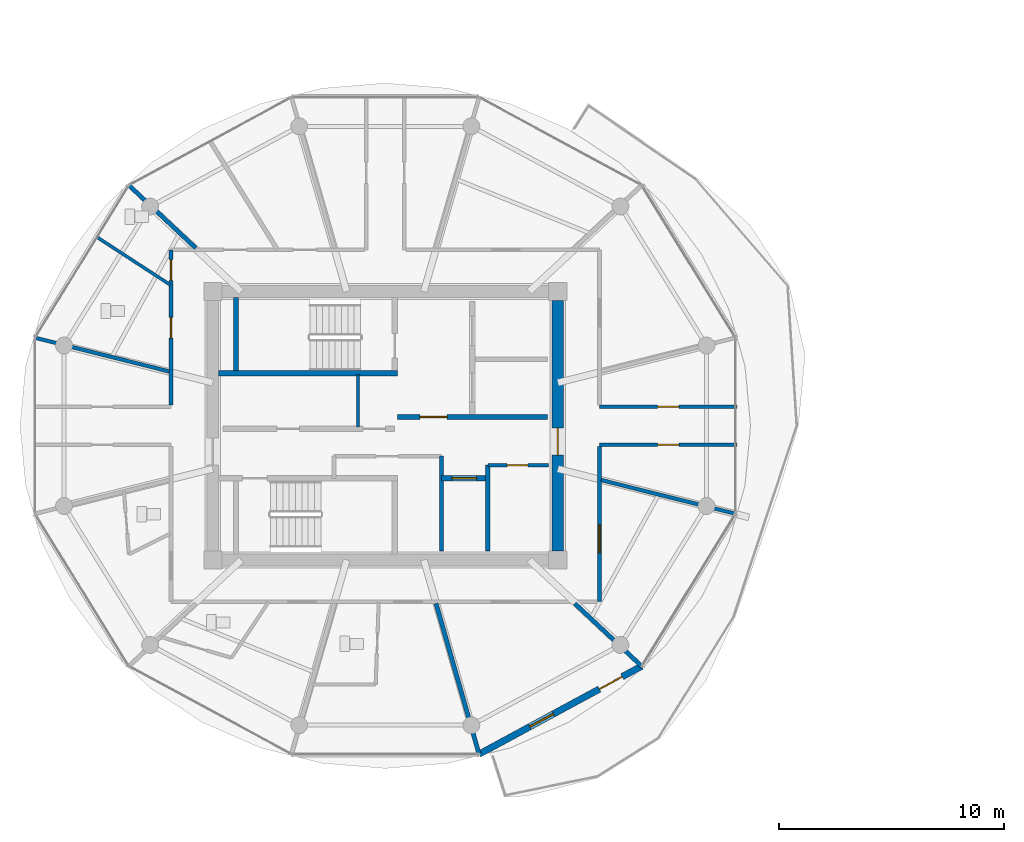
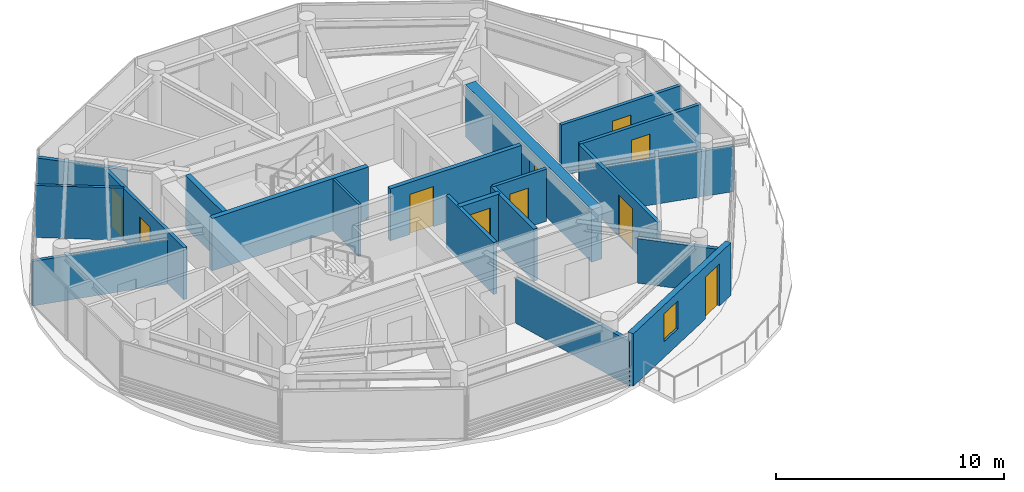
# One storey, part 10 of 19: 20 walls, 10 doors, 1 window, 11 openings.
"""IFC4 building model written with IfcOpenShell, lengths in metres."""

import ifcopenshell
import ifcopenshell.guid

model = None  # the IFC model being written
_history = None  # IfcOwnerHistory: only IFC2X3 demands one
_inside = {}  # id of a spatial element -> (the spatial element, [elements in it])
_under = {}  # id of a project, library or spatial element -> (it, [spatial elements below it])
_declared = {}  # id of a project -> (the project, [libraries it declares])
_typed = {}  # id of a type object -> (the type object, [elements of that type])
_made_of = {}  # id of a material, layer set ... -> (it, [elements and type objects made of it])


def new_model(schema):
    """Start an empty IFC model of exactly this schema.

    Asked for "IFC4X3", IfcOpenShell would pick the latest addendum, in which some entities
    have other attributes; the version numbers below select the first issue.
    IFC2X3 requires an IfcOwnerHistory on every rooted entity: one is made here for all.
    """
    global model, _history
    if schema == "IFC4X3":
        model = ifcopenshell.file(schema_version=(4, 3, 0, 0))
    else:
        model = ifcopenshell.file(schema=schema)
    _inside.clear()
    _under.clear()
    _declared.clear()
    _typed.clear()
    _made_of.clear()
    _history = None
    if model.schema == "IFC2X3":
        org = make("IfcOrganization", Name="unknown")
        user = make(
            "IfcPersonAndOrganization",
            ThePerson=make("IfcPerson", FamilyName="unknown"),
            TheOrganization=org,
        )
        app = make(
            "IfcApplication",
            ApplicationDeveloper=org,
            Version="unknown",
            ApplicationFullName="unknown",
            ApplicationIdentifier="unknown",
        )
        _history = make(
            "IfcOwnerHistory",
            OwningUser=user,
            OwningApplication=app,
            ChangeAction="ADDED",
            CreationDate=0,
        )
    return model


def make(cls, **values):
    """One entity of the class cls with the attributes given. An attribute that is None is left unset."""
    return model.create_entity(
        cls, **{name: value for name, value in values.items() if value is not None}
    )


def rooted(cls, **values):
    """An entity with a GlobalId (a new one), such as an element, a storey or a relation."""
    return make(cls, GlobalId=ifcopenshell.guid.new(), OwnerHistory=_history, **values)


def si_unit(unit_type, name, prefix=None):
    """IfcSIUnit, for example si_unit("LENGTHUNIT", "METRE", prefix="MILLI")."""
    return make("IfcSIUnit", UnitType=unit_type, Prefix=prefix, Name=name)


def assignment(units):
    """IfcUnitAssignment: the units of a project."""
    return None if units is None else make("IfcUnitAssignment", Units=units)


def point(xyz):
    """IfcCartesianPoint."""
    return None if xyz is None else make("IfcCartesianPoint", Coordinates=xyz)


def direction(xyz):
    """IfcDirection."""
    return None if xyz is None else make("IfcDirection", DirectionRatios=xyz)


def frame(location, z_axis=None, x_axis=None):
    """IfcAxis2Placement3D, a coordinate frame: its origin and axes. An axis left out is left unset."""
    return make(
        "IfcAxis2Placement3D",
        Location=point(location),
        Axis=direction(z_axis),
        RefDirection=direction(x_axis),
    )


def frame_2d(location, x_axis=None):
    """IfcAxis2Placement2D, a coordinate frame in the plane: its origin and x axis."""
    return make(
        "IfcAxis2Placement2D", Location=point(location), RefDirection=direction(x_axis)
    )


def origin():
    """The frame at (0, 0, 0) with its axes left unset."""
    return frame((0.0, 0.0, 0.0))


def place(relative_to, where):
    """IfcLocalPlacement: puts the frame where relative to a parent placement (None: the world)."""
    return make(
        "IfcLocalPlacement", PlacementRelTo=relative_to, RelativePlacement=where
    )


def context(
    kind, dimensions, precision=None, world=None, true_north=None, identifier=None
):
    """IfcGeometricRepresentationContext, for example the 3D "Model" context."""
    return make(
        "IfcGeometricRepresentationContext",
        ContextIdentifier=identifier,
        ContextType=kind,
        CoordinateSpaceDimension=dimensions,
        Precision=precision,
        WorldCoordinateSystem=world,
        TrueNorth=true_north,
    )


def subcontext(parent, identifier, kind, view, scale=None):
    """IfcGeometricRepresentationSubContext, for example "Body" below "Model"."""
    return make(
        "IfcGeometricRepresentationSubContext",
        ContextIdentifier=identifier,
        ContextType=kind,
        ParentContext=parent,
        TargetScale=scale,
        TargetView=view,
    )


def project(units=None, contexts=None):
    """IfcProject with its units and contexts."""
    return rooted(
        "IfcProject",
        Name="project",
        RepresentationContexts=contexts,
        UnitsInContext=assignment(units),
    )


def spatial(cls, under=None, at=None, **own):
    """A site, building, storey or space (cls), placed at a placement, below another one or the project."""
    s = rooted(cls, ObjectPlacement=at, **own)
    if under is not None:
        _under.setdefault(under.id(), (under, []))[1].append(s)
    return s


def profile(cls, at=None, kind="AREA", **sizes):
    """A parametric profile (cls). Its sizes go by their IFC names, for example OverallWidth=200.0."""
    return make(cls, ProfileType=kind, Position=at, **sizes)


def rectangle(**sizes):
    """IfcRectangleProfileDef."""
    return profile("IfcRectangleProfileDef", **sizes)


def extrude(swept, where, along, depth):
    """IfcExtrudedAreaSolid: the profile swept, set in the frame where, extruded along a direction by depth."""
    return make(
        "IfcExtrudedAreaSolid",
        SweptArea=swept,
        Position=where,
        ExtrudedDirection=direction(along),
        Depth=depth,
    )


def shape(context_of_items, identifier, shape_type, items):
    """IfcShapeRepresentation: the items that make up one representation, for example the "Body"."""
    return make(
        "IfcShapeRepresentation",
        ContextOfItems=context_of_items,
        RepresentationIdentifier=identifier,
        RepresentationType=shape_type,
        Items=items,
    )


def source(mapping_origin, context_of_items, identifier, shape_type, items):
    """IfcRepresentationMap: a shape defined once, which mapped items show again and again."""
    return make(
        "IfcRepresentationMap",
        MappingOrigin=mapping_origin,
        MappedRepresentation=shape(context_of_items, identifier, shape_type, items),
    )


def transform(
    local_origin,
    x_axis=None,
    y_axis=None,
    z_axis=None,
    scale=None,
    scale2=None,
    scale3=None,
    uniform=True,
):
    """IfcCartesianTransformationOperator3D, or its non-uniform kind. x_axis, y_axis, z_axis: its Axis1, 2, 3."""
    if uniform:
        return make(
            "IfcCartesianTransformationOperator3D",
            Axis1=direction(x_axis),
            Axis2=direction(y_axis),
            LocalOrigin=point(local_origin),
            Scale=scale,
            Axis3=direction(z_axis),
        )
    return make(
        "IfcCartesianTransformationOperator3DnonUniform",
        Axis1=direction(x_axis),
        Axis2=direction(y_axis),
        LocalOrigin=point(local_origin),
        Scale=scale,
        Axis3=direction(z_axis),
        Scale2=scale2,
        Scale3=scale3,
    )


def mapped(mapping_source, mapping_target):
    """IfcMappedItem: shows the shape of a source again, moved by a transform."""
    return make(
        "IfcMappedItem", MappingSource=mapping_source, MappingTarget=mapping_target
    )


def material(Name=None, Category=None):
    """IfcMaterial."""
    return make("IfcMaterial", Name=Name, Category=Category)


def layer(
    of_material, thickness, ventilated=None, Name=None, Category=None, Priority=None
):
    """IfcMaterialLayer: one layer of a wall or slab, of a material (None: an air gap)."""
    return make(
        "IfcMaterialLayer",
        Material=of_material,
        LayerThickness=thickness,
        IsVentilated=ventilated,
        Name=Name,
        Category=Category,
        Priority=Priority,
    )


def layer_set(layers, Name=None):
    """IfcMaterialLayerSet."""
    return make("IfcMaterialLayerSet", MaterialLayers=layers, LayerSetName=Name)


def made_of(thing, what):
    """Note that an element or type object is made of a material, layer set ...; save() writes the relation."""
    if what is not None:
        _made_of.setdefault(what.id(), (what, []))[1].append(thing)
    return thing


def type_object(cls, material=None, **own):
    """A type object (cls), such as IfcWallType, which elements share."""
    return made_of(rooted(cls, **own), material)


def type_shapes(of_type, sources):
    """Give a type object the sources (RepresentationMaps) that its elements show as mapped items."""
    of_type.RepresentationMaps = sources


def element(
    cls,
    number,
    at=None,
    inside=None,
    cuts=None,
    type_object=None,
    material=None,
    context=None,
    identifier="Body",
    shape_type=None,
    held_by="IfcProductDefinitionShape",
    body=None,
    shapes=None,
    **own,
):
    """One element of the class cls, such as IfcWall. Its Tag is "e" and its number.

    at: its placement. inside: the storey or other place that contains it. cuts: it is an
    opening in that element (IfcRelVoidsElement). A single representation is given by context,
    identifier, shape_type and body (its items); several are given by shapes. held_by: the class
    of the entity that holds the representations. save() writes the other relations.
    """
    e = rooted(cls, Tag="e%d" % number, ObjectPlacement=at, **own)
    if body is not None:
        shapes = [shape(context, identifier, shape_type, body)]
    if shapes is not None:
        e.Representation = make(held_by, Representations=shapes)
    if inside is not None:
        _inside.setdefault(inside.id(), (inside, []))[1].append(e)
    if cuts is not None:
        rooted(
            "IfcRelVoidsElement", RelatingBuildingElement=cuts, RelatedOpeningElement=e
        )
    if type_object is not None:
        _typed.setdefault(type_object.id(), (type_object, []))[1].append(e)
    return made_of(e, material)


def fill(opening, filler):
    """IfcRelFillsElement: the door or window that sits in an opening."""
    return rooted(
        "IfcRelFillsElement",
        RelatingOpeningElement=opening,
        RelatedBuildingElement=filler,
    )


def aggregate(whole, parts):
    """IfcRelAggregates: a whole, such as a stair, and the parts it consists of."""
    return rooted("IfcRelAggregates", RelatingObject=whole, RelatedObjects=parts)


def save(model, path):
    """Write the relations noted so far, then the file.

    IfcRelAggregates (storeys below a building ...), IfcRelContainedInSpatialStructure (elements
    in a storey), IfcRelDefinesByType, IfcRelAssociatesMaterial and IfcRelDeclares: one each for
    every whole, place, type object, material and project.
    """
    for whole, parts in _under.values():
        aggregate(whole, parts)
    for where, things in _inside.values():
        rooted(
            "IfcRelContainedInSpatialStructure",
            RelatedElements=things,
            RelatingStructure=where,
        )
    for kind, things in _typed.values():
        rooted("IfcRelDefinesByType", RelatedObjects=things, RelatingType=kind)
    for what, things in _made_of.values():
        rooted("IfcRelAssociatesMaterial", RelatedObjects=things, RelatingMaterial=what)
    for by, libraries in _declared.values():
        rooted("IfcRelDeclares", RelatingContext=by, RelatedDefinitions=libraries)
    model.write(path)


model = new_model("IFC4")

# Units and contexts
model_context = context("Model", 3, precision=1e-05, world=origin(), true_north=direction((0.0, 1.0)))
body_context = subcontext(model_context, "Body", "Model", "MODEL_VIEW")
ifc_project = project(units=[si_unit("LENGTHUNIT", "METRE"), si_unit("AREAUNIT", "SQUARE_METRE"), si_unit("VOLUMEUNIT", "CUBIC_METRE"), si_unit("PLANEANGLEUNIT", "RADIAN"), si_unit("MASSUNIT", "GRAM", prefix="KILO")], contexts=[model_context])

# Site, building, storey
site_placement = place(None, origin())
site = spatial("IfcSite", under=ifc_project, at=site_placement, CompositionType="ELEMENT")
building_placement = place(site_placement, origin())
building = spatial("IfcBuilding", under=site, at=building_placement, Name="Norrkilde Senior Care Towers", CompositionType="ELEMENT")
storey_placement = place(building_placement, frame((0.0, 0.0, 193.699951171875)))
storey = spatial("IfcBuildingStorey", under=building, at=storey_placement, Name="L60", CompositionType="ELEMENT", Elevation=193.699951171875)

# Wall, opening, door
ifc_material_1 = material(Name="Concrete C50/60", Category="concrete")
ifc_layer_1 = layer(ifc_material_1, 0.52001953125)
ifc_layer_set_1 = layer_set([ifc_layer_1], Name="Concrete C50/60")
wall_type_1 = type_object("IfcWallType", Name="Core Shear Wall Z4 520", PredefinedType="SHEAR", material=ifc_layer_set_1)
shared_shape_1 = source(origin(), body_context, "Body", "SweptSolid", [
    extrude(rectangle(XDim=11.10009765625, YDim=0.52001953125, at=frame_2d((5.550048828125, 0.0))), origin(), (0.0, 0.0, 1.0), 2.81005859375),
])
type_shapes(wall_type_1, [shared_shape_1])
wall_1_placement = place(storey_placement, frame((-20.35009765625, 5.550048828125, 0.0), z_axis=(0.0, 0.0, 1.0), x_axis=(0.0, -1.0, 0.0)))
wall_1 = element("IfcWall", 1, at=wall_1_placement, inside=storey, type_object=wall_type_1, Name="L60 Core W East Shear Wall", PredefinedType="SHEAR", context=body_context, shape_type="MappedRepresentation", body=[
    mapped(shared_shape_1, transform((0.0, 0.0, 0.0), x_axis=(1.0, 0.0, 0.0), y_axis=(0.0, 1.0, 0.0), z_axis=(0.0, 0.0, 1.0), scale=1.0)),
])
opening_1_placement = place(wall_1_placement, frame((5.64990234375, 0.0, 0.0)))
opening_1 = element("IfcOpeningElement", 2, at=opening_1_placement, cuts=wall_1, Name="Opening D-04", PredefinedType="OPENING", context=body_context, shape_type="SweptSolid", body=[
    extrude(rectangle(XDim=1.199951171875, YDim=2.14990234375, at=frame_2d((0.60009765625, 1.074951171875))), frame((0.0, 0.27001953125, 0.0), z_axis=(0.0, -1.0, 0.0), x_axis=(1.0, 0.0, 0.0)), (0.0, 0.0, 1.0), 0.5400390625),
])
ifc_material_2 = material(Name="Galvanised Painted Steel", Category="steel")
door_type_1 = type_object("IfcDoorType", Name="Firefighting Lobby Fire Door 1200x2150", OperationType="NOTDEFINED", PredefinedType="DOOR", material=ifc_material_2)
shared_shape_2 = source(origin(), body_context, "Body", "SweptSolid", [
    extrude(rectangle(XDim=1.199951171875, YDim=2.14990234375, at=frame_2d((0.60009765625, 1.074951171875))), frame((0.0, 0.02490234375, 0.0), z_axis=(0.0, -1.0, 0.0), x_axis=(1.0, 0.0, 0.0)), (0.0, 0.0, 1.0), 0.050048828125),
])
type_shapes(door_type_1, [shared_shape_2])
door_1_placement = place(opening_1_placement, frame((1.199951171875, 0.0, 0.0), z_axis=(0.0, 0.0, 1.0), x_axis=(-1.0, 0.0, 0.0)))
door_1 = element("IfcDoor", 3, at=door_1_placement, inside=storey, type_object=door_type_1, Name="L60 Core W East Portal Door", OperationType="SINGLE_SWING_RIGHT", OverallHeight=2.14990234375, OverallWidth=1.199951171875, PredefinedType="DOOR", context=body_context, shape_type="MappedRepresentation", body=[
    mapped(shared_shape_2, transform((0.0, 0.0, 0.0), x_axis=(1.0, 0.0, 0.0), y_axis=(0.0, 1.0, 0.0), z_axis=(0.0, 0.0, 1.0), scale=1.0)),
])
fill(opening_1, door_1)

# Wall, openings, door, window
ifc_material_3 = material(Name="Precast concrete C45/55", Category="concrete")
ifc_layer_2 = layer(ifc_material_3, 0.2900390625)
ifc_layer_set_2 = layer_set([ifc_layer_2], Name="Precast concrete C45/55")
wall_type_2 = type_object("IfcWallType", Name="Winter Garden Facade Wall 290", PredefinedType="SOLIDWALL", material=ifc_layer_set_2)
shared_shape_3 = source(origin(), body_context, "Body", "SweptSolid", [
    extrude(rectangle(XDim=8.197265625, YDim=0.2900390625, at=frame_2d((4.0986328125, 0.0))), origin(), (0.0, 0.0, 1.0), 2.81005859375),
])
type_shapes(wall_type_2, [shared_shape_3])
wall_2_placement = place(storey_placement, frame((-16.629638671875, -10.6630859375, 0.0), z_axis=(0.0, 0.0, 1.0), x_axis=(-0.879369910001, -0.476139224791, 0.0)))
wall_2 = element("IfcWall", 4, at=wall_2_placement, inside=storey, type_object=wall_type_2, Name="L60 Drum W Balcony Access Wall 09", PredefinedType="SOLIDWALL", context=body_context, shape_type="MappedRepresentation", body=[
    mapped(shared_shape_3, transform((0.0, 0.0, 0.0), x_axis=(1.0, 0.0, 0.0), y_axis=(0.0, 1.0, 0.0), z_axis=(0.0, 0.0, 1.0), scale=1.0)),
])
opening_2_placement = place(wall_2_placement, frame((0.97998046875, 0.0, 0.0)))
opening_2 = element("IfcOpeningElement", 5, at=opening_2_placement, cuts=wall_2, Name="Opening D-09", PredefinedType="OPENING", context=body_context, shape_type="SweptSolid", body=[
    extrude(rectangle(XDim=1.14990234375, YDim=2.25, at=frame_2d((0.574951171875, 1.125))), frame((0.0, 0.155029296875, 0.0), z_axis=(0.0, -1.0, 0.0), x_axis=(1.0, 0.0, 0.0)), (0.0, 0.0, 1.0), 0.31005859375),
])
opening_3_placement = place(wall_2_placement, frame((4.448486328125, 0.0, 0.85009765625)))
opening_3 = element("IfcOpeningElement", 6, at=opening_3_placement, cuts=wall_2, Name="Opening WN-07", PredefinedType="OPENING", context=body_context, shape_type="SweptSolid", body=[
    extrude(rectangle(XDim=1.199951171875, YDim=1.5, at=frame_2d((0.60009765625, 0.75))), frame((0.0, 0.155029296875, 0.0), z_axis=(0.0, -1.0, 0.0), x_axis=(1.0, 0.0, 0.0)), (0.0, 0.0, 1.0), 0.31005859375),
])
ifc_material_4 = material(Name="Anodised Aluminium", Category="aluminium")
door_type_2 = type_object("IfcDoorType", Name="Terrace and Balcony Glazed Door 1150x2250", OperationType="NOTDEFINED", PredefinedType="DOOR", material=ifc_material_4)
shared_shape_4 = source(origin(), body_context, "Body", "SweptSolid", [
    extrude(rectangle(XDim=1.14990234375, YDim=2.25, at=frame_2d((0.574951171875, 1.125))), frame((0.0, 0.02490234375, 0.0), z_axis=(0.0, -1.0, 0.0), x_axis=(1.0, 0.0, 0.0)), (0.0, 0.0, 1.0), 0.050048828125),
])
type_shapes(door_type_2, [shared_shape_4])
door_2_placement = place(opening_2_placement, origin())
door_2 = element("IfcDoor", 7, at=door_2_placement, inside=storey, type_object=door_type_2, Name="L60 Drum W Outdoor Terrace Door 09", OperationType="SINGLE_SWING_RIGHT", OverallHeight=2.25, OverallWidth=1.14990234375, PredefinedType="DOOR", context=body_context, shape_type="MappedRepresentation", body=[
    mapped(shared_shape_4, transform((0.0, 0.0, 0.0), x_axis=(1.0, 0.0, 0.0), y_axis=(0.0, 1.0, 0.0), z_axis=(0.0, 0.0, 1.0), scale=1.0)),
])
fill(opening_2, door_2)
ifc_material_5 = material(Name="Triple Low-E Insulated Glazing", Category="glass")
window_type = type_object("IfcWindowType", Name="Stairwell Smoke Vent Window 1200x1500", PartitioningType="SINGLE_PANEL", PredefinedType="WINDOW", material=ifc_material_5)
shared_shape_5 = source(origin(), body_context, "Body", "SweptSolid", [
    extrude(rectangle(XDim=1.199951171875, YDim=1.5, at=frame_2d((0.60009765625, 0.75))), frame((0.0, 0.030029296875, 0.0), z_axis=(0.0, -1.0, 0.0), x_axis=(1.0, 0.0, 0.0)), (0.0, 0.0, 1.0), 0.06005859375),
])
type_shapes(window_type, [shared_shape_5])
window_placement = place(opening_3_placement, origin())
window = element("IfcWindow", 8, at=window_placement, inside=storey, type_object=window_type, Name="L60 Drum W Winter Garden Window 09", OverallHeight=1.5, OverallWidth=1.199951171875, PartitioningType="SINGLE_PANEL", PredefinedType="WINDOW", context=body_context, shape_type="MappedRepresentation", body=[
    mapped(shared_shape_5, transform((0.0, 0.0, 0.0), x_axis=(1.0, 0.0, 0.0), y_axis=(0.0, 1.0, 0.0), z_axis=(0.0, 0.0, 1.0), scale=1.0)),
])
fill(opening_3, window)

# Wall, opening, door
ifc_material_6 = material(Name="Concrete C45/55", Category="concrete")
ifc_layer_3 = layer(ifc_material_6, 0.2099609375)
ifc_layer_set_3 = layer_set([ifc_layer_3], Name="Concrete C45/55")
wall_type_3 = type_object("IfcWallType", Name="Firefighting Lobby Wall 210", PredefinedType="PARTITIONING", material=ifc_layer_set_3)
shared_shape_6 = source(origin(), body_context, "Body", "SweptSolid", [
    extrude(rectangle(XDim=6.659912109375, YDim=0.2099609375, at=frame_2d((3.330078125, 0.0))), origin(), (0.0, 0.0, 1.0), 2.795166015625),
])
type_shapes(wall_type_3, [shared_shape_6])
wall_3_placement = place(storey_placement, frame((-27.4599609375, 0.389892578125, 0.0), z_axis=(0.0, 0.0, 1.0), x_axis=(1.0, 0.0, 0.0)))
wall_3 = element("IfcWall", 9, at=wall_3_placement, inside=storey, type_object=wall_type_3, Name="WL-INT-L60-W-FFLS", PredefinedType="PARTITIONING", context=body_context, shape_type="MappedRepresentation", body=[
    mapped(shared_shape_6, transform((0.0, 0.0, 0.0), x_axis=(1.0, 0.0, 0.0), y_axis=(0.0, 1.0, 0.0), z_axis=(0.0, 0.0, 1.0), scale=1.0)),
])
opening_4_placement = place(wall_3_placement, frame((1.0, 0.0, 0.0)))
opening_4 = element("IfcOpeningElement", 10, at=opening_4_placement, cuts=wall_3, Name="Opening D-04", PredefinedType="OPENING", context=body_context, shape_type="SweptSolid", body=[
    extrude(rectangle(XDim=1.199951171875, YDim=2.14990234375, at=frame_2d((0.60009765625, 1.074951171875))), frame((0.0, 0.114990234375, 0.0), z_axis=(0.0, -1.0, 0.0), x_axis=(1.0, 0.0, 0.0)), (0.0, 0.0, 1.0), 0.22998046875),
])
door_3_placement = place(opening_4_placement, frame((1.199951171875, 0.0, 0.0), z_axis=(0.0, 0.0, 1.0), x_axis=(-1.0, 0.0, 0.0)))
door_3 = element("IfcDoor", 11, at=door_3_placement, inside=storey, type_object=door_type_1, Name="L60 Firefighting Lobby W Door", OperationType="SINGLE_SWING_LEFT", OverallHeight=2.14990234375, OverallWidth=1.199951171875, PredefinedType="DOOR", context=body_context, shape_type="MappedRepresentation", body=[
    mapped(shared_shape_2, transform((0.0, 0.0, 0.0), x_axis=(1.0, 0.0, 0.0), y_axis=(0.0, 1.0, 0.0), z_axis=(0.0, 0.0, 1.0), scale=1.0)),
])
fill(opening_4, door_3)

# Walls
ifc_material_7 = material(Name="Gypsum Acoustic Board")
ifc_layer_4 = layer(ifc_material_7, 0.114990234375)
ifc_layer_set_4 = layer_set([ifc_layer_4], Name="Gypsum Acoustic Board")
wall_type_4 = type_object("IfcWallType", Name="Internal Room Partition 115", PredefinedType="PARTITIONING", material=ifc_layer_set_4)
shared_shape_7 = source(origin(), body_context, "Body", "SweptSolid", [
    extrude(rectangle(XDim=2.330078125, YDim=0.114990234375, at=frame_2d((1.1650390625, 0.0))), origin(), (0.0, 0.0, 1.0), 2.795166015625),
])
type_shapes(wall_type_4, [shared_shape_7])
wall_4_placement = place(storey_placement, frame((-29.2099609375, -0.050048828125, 0.0), z_axis=(0.0, 0.0, 1.0), x_axis=(0.0, 1.0, 0.0)))
element("IfcWall", 12, at=wall_4_placement, inside=storey, type_object=wall_type_4, Name="WL-INT-L60-W-RISW", PredefinedType="PARTITIONING", context=body_context, shape_type="MappedRepresentation", body=[
    mapped(shared_shape_7, transform((0.0, 0.0, 0.0), x_axis=(1.0, 0.0, 0.0), y_axis=(0.0, 1.0, 0.0), z_axis=(0.0, 0.0, 1.0), scale=1.0)),
])
ifc_layer_5 = layer(ifc_material_6, 0.199951171875)
ifc_layer_set_5 = layer_set([ifc_layer_5], Name="Concrete C45/55")
wall_type_5 = type_object("IfcWallType", Name="Shaft Division and Plant Partition 200", PredefinedType="PARTITIONING", material=ifc_layer_set_5)
shared_shape_8 = source(origin(), body_context, "Body", "SweptSolid", [
    extrude(rectangle(XDim=3.800048828125, YDim=0.199951171875, at=frame_2d((1.89990234375, 0.0))), origin(), (0.0, 0.0, 1.0), 2.795166015625),
])
type_shapes(wall_type_5, [shared_shape_8])
wall_5_placement = place(storey_placement, frame((-23.449951171875, -5.550048828125, 0.0), z_axis=(0.0, 0.0, 1.0), x_axis=(0.0, 1.0, 0.0)))
element("IfcWall", 13, at=wall_5_placement, inside=storey, type_object=wall_type_5, Name="WL-INT-L60-W-PKBE", PredefinedType="PARTITIONING", context=body_context, shape_type="MappedRepresentation", body=[
    mapped(shared_shape_8, transform((0.0, 0.0, 0.0), x_axis=(1.0, 0.0, 0.0), y_axis=(0.0, 1.0, 0.0), z_axis=(0.0, 0.0, 1.0), scale=1.0)),
])

# Wall, opening, door
ifc_layer_6 = layer(ifc_material_7, 0.1650390625)
ifc_layer_set_6 = layer_set([ifc_layer_6], Name="Gypsum Acoustic Board")
wall_type_6 = type_object("IfcWallType", Name="Corridor Rated Partition 165", PredefinedType="PARTITIONING", material=ifc_layer_set_6)
shared_shape_9 = source(origin(), body_context, "Body", "SweptSolid", [
    extrude(rectangle(XDim=2.699951171875, YDim=0.1650390625, at=frame_2d((1.35009765625, 0.0))), origin(), (0.0, 0.0, 1.0), 2.795166015625),
])
wall_6_placement = place(storey_placement, frame((-23.449951171875, -1.75, 0.0), z_axis=(0.0, 0.0, 1.0), x_axis=(1.0, 0.0, 0.0)))
wall_6 = element("IfcWall", 14, at=wall_6_placement, inside=storey, type_object=wall_type_6, Name="WL-INT-L60-W-CSN", PredefinedType="PARTITIONING", context=body_context, shape_type="MappedRepresentation", body=[
    mapped(shared_shape_9, transform((0.0, 0.0, 0.0), x_axis=(1.0, 0.0, 0.0), y_axis=(0.0, 1.0, 0.0), z_axis=(0.0, 0.0, 1.0), scale=1.0)),
])
opening_5_placement = place(wall_6_placement, frame((0.85009765625, 0.0, 0.0)))
opening_5 = element("IfcOpeningElement", 15, at=opening_5_placement, cuts=wall_6, Name="Opening D-12", PredefinedType="OPENING", context=body_context, shape_type="SweptSolid", body=[
    extrude(rectangle(XDim=0.925048828125, YDim=2.10009765625, at=frame_2d((0.46240234375, 1.050048828125))), frame((0.0, 0.092529296875, 0.0), z_axis=(0.0, -1.0, 0.0), x_axis=(1.0, 0.0, 0.0)), (0.0, 0.0, 1.0), 0.18505859375),
])
door_type_3 = type_object("IfcDoorType", Name="Core Wet Room Rated Door 925x2100", OperationType="NOTDEFINED", PredefinedType="DOOR", material=ifc_material_2)
shared_shape_10 = source(origin(), body_context, "Body", "SweptSolid", [
    extrude(rectangle(XDim=0.925048828125, YDim=2.10009765625, at=frame_2d((0.46240234375, 1.050048828125))), frame((0.0, 0.02490234375, 0.0), z_axis=(0.0, -1.0, 0.0), x_axis=(1.0, 0.0, 0.0)), (0.0, 0.0, 1.0), 0.050048828125),
])
type_shapes(door_type_3, [shared_shape_10])
door_4_placement = place(opening_5_placement, origin())
door_4 = element("IfcDoor", 16, at=door_4_placement, inside=storey, type_object=door_type_3, Name="L60 Core Utility W Door", OperationType="SINGLE_SWING_LEFT", OverallHeight=2.10009765625, OverallWidth=0.925048828125, PredefinedType="DOOR", context=body_context, shape_type="MappedRepresentation", body=[
    mapped(shared_shape_10, transform((0.0, 0.0, 0.0), x_axis=(1.0, 0.0, 0.0), y_axis=(0.0, 1.0, 0.0), z_axis=(0.0, 0.0, 1.0), scale=1.0)),
])
fill(opening_5, door_4)

# Wall, openings, doors
shared_shape_11 = source(origin(), body_context, "Body", "SweptSolid", [
    extrude(rectangle(XDim=6.880126953125, YDim=0.1650390625, at=frame_2d((3.43994140625, 0.0))), origin(), (0.0, 0.0, 1.0), 2.795166015625),
])
wall_7_placement = place(storey_placement, frame((-37.5, 0.919921875, 0.0), z_axis=(0.0, 0.0, 1.0), x_axis=(0.0, 1.0, 0.0)))
wall_7 = element("IfcWall", 17, at=wall_7_placement, inside=storey, type_object=wall_type_6, Name="WL-INT-L60-W-CRW-W-1", PredefinedType="PARTITIONING", context=body_context, shape_type="MappedRepresentation", body=[
    mapped(shared_shape_11, transform((0.0, 0.0, 0.0), x_axis=(1.0, 0.0, 0.0), y_axis=(0.0, 1.0, 0.0), z_axis=(0.0, 0.0, 1.0), scale=1.0)),
])
opening_6_placement = place(wall_7_placement, frame((5.525146484375, 0.0, 0.0)))
opening_6 = element("IfcOpeningElement", 18, at=opening_6_placement, cuts=wall_7, Name="Opening D-08", PredefinedType="OPENING", context=body_context, shape_type="SweptSolid", body=[
    extrude(rectangle(XDim=0.919921875, YDim=2.10009765625, at=frame_2d((0.4599609375, 1.050048828125))), frame((0.0, 0.092529296875, 0.0), z_axis=(0.0, -1.0, 0.0), x_axis=(1.0, 0.0, 0.0)), (0.0, 0.0, 1.0), 0.18505859375),
])
opening_7_placement = place(wall_7_placement, frame((2.96240234375, 0.0, 0.0)))
opening_7 = element("IfcOpeningElement", 19, at=opening_7_placement, cuts=wall_7, Name="Opening D-08", PredefinedType="OPENING", context=body_context, shape_type="SweptSolid", body=[
    extrude(rectangle(XDim=0.919921875, YDim=2.10009765625, at=frame_2d((0.4599609375, 1.050048828125))), frame((0.0, 0.092529296875, 0.0), z_axis=(0.0, -1.0, 0.0), x_axis=(1.0, 0.0, 0.0)), (0.0, 0.0, 1.0), 0.18505859375),
])
ifc_material_8 = material(Name="Nordic Ash Timber", Category="wood")
door_type_4 = type_object("IfcDoorType", Name="Accessible Wet Room Door 920x2100", OperationType="NOTDEFINED", PredefinedType="DOOR", material=ifc_material_8)
shared_shape_12 = source(origin(), body_context, "Body", "SweptSolid", [
    extrude(rectangle(XDim=0.919921875, YDim=2.10009765625, at=frame_2d((0.4599609375, 1.050048828125))), frame((0.0, 0.02490234375, 0.0), z_axis=(0.0, -1.0, 0.0), x_axis=(1.0, 0.0, 0.0)), (0.0, 0.0, 1.0), 0.050048828125),
])
type_shapes(door_type_4, [shared_shape_12])
door_5_placement = place(opening_6_placement, frame((0.919921875, 0.0, 0.0), z_axis=(0.0, 0.0, 1.0), x_axis=(-1.0, 0.0, 0.0)))
door_5 = element("IfcDoor", 20, at=door_5_placement, inside=storey, type_object=door_type_4, Name="L60 Accessible Restroom Door", OperationType="SINGLE_SWING_LEFT", OverallHeight=2.10009765625, OverallWidth=0.919921875, PredefinedType="DOOR", context=body_context, shape_type="MappedRepresentation", body=[
    mapped(shared_shape_12, transform((0.0, 0.0, 0.0), x_axis=(1.0, 0.0, 0.0), y_axis=(0.0, 1.0, 0.0), z_axis=(0.0, 0.0, 1.0), scale=1.0)),
])
fill(opening_6, door_5)
door_6_placement = place(opening_7_placement, frame((0.919921875, 0.0, 0.0), z_axis=(0.0, 0.0, 1.0), x_axis=(-1.0, 0.0, 0.0)))
door_6 = element("IfcDoor", 21, at=door_6_placement, inside=storey, type_object=door_type_4, Name="L60 Public Restroom Door", OperationType="SINGLE_SWING_RIGHT", OverallHeight=2.10009765625, OverallWidth=0.919921875, PredefinedType="DOOR", context=body_context, shape_type="MappedRepresentation", body=[
    mapped(shared_shape_12, transform((0.0, 0.0, 0.0), x_axis=(1.0, 0.0, 0.0), y_axis=(0.0, 1.0, 0.0), z_axis=(0.0, 0.0, 1.0), scale=1.0)),
])
fill(opening_7, door_6)

# Wall, opening, door
wall_8_placement = place(storey_placement, frame((-18.5, -0.919921875, 0.0), z_axis=(0.0, 0.0, 1.0), x_axis=(0.0, -1.0, 0.0)))
wall_8 = element("IfcWall", 22, at=wall_8_placement, inside=storey, type_object=wall_type_6, Name="WL-INT-L60-W-CRW-E-1", PredefinedType="PARTITIONING", context=body_context, shape_type="MappedRepresentation", body=[
    mapped(shared_shape_11, transform((0.0, 0.0, 0.0), x_axis=(1.0, 0.0, 0.0), y_axis=(0.0, 1.0, 0.0), z_axis=(0.0, 0.0, 1.0), scale=1.0)),
])
opening_8_placement = place(wall_8_placement, frame((3.46435546875, 0.0, 0.0)))
opening_8 = element("IfcOpeningElement", 23, at=opening_8_placement, cuts=wall_8, Name="Opening D-05", PredefinedType="OPENING", context=body_context, shape_type="SweptSolid", body=[
    extrude(rectangle(XDim=1.25, YDim=2.199951171875, at=frame_2d((0.625, 1.10009765625))), frame((0.0, 0.092529296875, 0.0), z_axis=(0.0, -1.0, 0.0), x_axis=(1.0, 0.0, 0.0)), (0.0, 0.0, 1.0), 0.18505859375),
])
door_type_5 = type_object("IfcDoorType", Name="Care Bedroom Bariatric Door 1250x2200", OperationType="NOTDEFINED", PredefinedType="DOOR", material=ifc_material_8)
shared_shape_13 = source(origin(), body_context, "Body", "SweptSolid", [
    extrude(rectangle(XDim=1.25, YDim=2.199951171875, at=frame_2d((0.625, 1.10009765625))), frame((0.0, 0.02490234375, 0.0), z_axis=(0.0, -1.0, 0.0), x_axis=(1.0, 0.0, 0.0)), (0.0, 0.0, 1.0), 0.050048828125),
])
type_shapes(door_type_5, [shared_shape_13])
door_7_placement = place(opening_8_placement, frame((1.25, 0.0, 0.0), z_axis=(0.0, 0.0, 1.0), x_axis=(-1.0, 0.0, 0.0)))
door_7 = element("IfcDoor", 24, at=door_7_placement, inside=storey, type_object=door_type_5, Name="L60 Care Coordination Charting Office Door", OperationType="SINGLE_SWING_LEFT", OverallHeight=2.199951171875, OverallWidth=1.25, PredefinedType="DOOR", context=body_context, shape_type="MappedRepresentation", body=[
    mapped(shared_shape_13, transform((0.0, 0.0, 0.0), x_axis=(1.0, 0.0, 0.0), y_axis=(0.0, 1.0, 0.0), z_axis=(0.0, 0.0, 1.0), scale=1.0)),
])
fill(opening_8, door_7)

ifc_layer_7 = layer(ifc_material_6, 0.239990234375)
ifc_layer_set_7 = layer_set([ifc_layer_7], Name="Concrete C45/55")
wall_type_7 = type_object("IfcWallType", Name="Lift and Plant Rated Enclosure Partition 240", PredefinedType="PARTITIONING", material=ifc_layer_set_7)
shared_shape_14 = source(origin(), body_context, "Body", "SweptSolid", [
    extrude(rectangle(XDim=2.050048828125, YDim=0.239990234375, at=frame_2d((1.02490234375, 0.0))), origin(), (0.0, 0.0, 1.0), 2.795166015625),
])
type_shapes(wall_type_7, [shared_shape_14])
wall_9_placement = place(storey_placement, frame((-25.5, -2.330078125, 0.0), z_axis=(0.0, 0.0, 1.0), x_axis=(1.0, 0.0, 0.0)))
wall_9 = element("IfcWall", 25, at=wall_9_placement, inside=storey, type_object=wall_type_7, Name="WL-INT-L60-W-PL4N", PredefinedType="PARTITIONING", context=body_context, shape_type="MappedRepresentation", body=[
    mapped(shared_shape_14, transform((0.0, 0.0, 0.0), x_axis=(1.0, 0.0, 0.0), y_axis=(0.0, 1.0, 0.0), z_axis=(0.0, 0.0, 1.0), scale=1.0)),
])
opening_9_placement = place(wall_9_placement, frame((0.449951171875, 0.0, 0.0)))
opening_9 = element("IfcOpeningElement", 26, at=opening_9_placement, cuts=wall_9, Name="Opening LD-01", PredefinedType="OPENING", context=body_context, shape_type="SweptSolid", body=[
    extrude(rectangle(XDim=1.10009765625, YDim=2.199951171875, at=frame_2d((0.550048828125, 1.10009765625))), frame((0.0, 0.1298828125, 0.0), z_axis=(0.0, -1.0, 0.0), x_axis=(1.0, 0.0, 0.0)), (0.0, 0.0, 1.0), 0.260009765625),
])
ifc_material_9 = material(Name="Stainless Steel", Category="steel")
door_type_6 = type_object("IfcDoorType", Name="Lift Landing Sliding Door 1100x2200", OperationType="NOTDEFINED", PredefinedType="DOOR", material=ifc_material_9)
shared_shape_15 = source(origin(), body_context, "Body", "SweptSolid", [
    extrude(rectangle(XDim=1.10009765625, YDim=2.199951171875, at=frame_2d((0.550048828125, 1.10009765625))), frame((0.0, 0.02490234375, 0.0), z_axis=(0.0, -1.0, 0.0), x_axis=(1.0, 0.0, 0.0)), (0.0, 0.0, 1.0), 0.050048828125),
])
type_shapes(door_type_6, [shared_shape_15])
door_8_placement = place(opening_9_placement, frame((1.10009765625, 0.0, 0.0), z_axis=(0.0, 0.0, 1.0), x_axis=(-1.0, 0.0, 0.0)))
door_8 = element("IfcDoor", 27, at=door_8_placement, inside=storey, type_object=door_type_6, Name="L60 Passenger Lift W4 Landing Door", OperationType="SLIDING_TO_RIGHT", OverallHeight=2.199951171875, OverallWidth=1.10009765625, PredefinedType="DOOR", context=body_context, shape_type="MappedRepresentation", body=[
    mapped(shared_shape_15, transform((0.0, 0.0, 0.0), x_axis=(1.0, 0.0, 0.0), y_axis=(0.0, 1.0, 0.0), z_axis=(0.0, 0.0, 1.0), scale=1.0)),
])
fill(opening_9, door_8)

# Walls
ifc_layer_8 = layer(ifc_material_6, 0.179931640625)
ifc_layer_set_8 = layer_set([ifc_layer_8], Name="Concrete C45/55")
wall_type_8 = type_object("IfcWallType", Name="Hoistway Division Rated Partition 180", PredefinedType="PARTITIONING", material=ifc_layer_set_8)
shared_shape_16 = source(origin(), body_context, "Body", "SweptSolid", [
    extrude(rectangle(XDim=4.199951171875, YDim=0.179931640625, at=frame_2d((2.10009765625, 0.0))), origin(), (0.0, 0.0, 1.0), 2.795166015625),
])
type_shapes(wall_type_8, [shared_shape_16])
wall_10_placement = place(storey_placement, frame((-25.5, -5.550048828125, 0.0), z_axis=(0.0, 0.0, 1.0), x_axis=(0.0, 1.0, 0.0)))
element("IfcWall", 28, at=wall_10_placement, inside=storey, type_object=wall_type_8, Name="WL-INT-L60-W-PL4W", PredefinedType="PARTITIONING", context=body_context, shape_type="MappedRepresentation", body=[
    mapped(shared_shape_16, transform((0.0, 0.0, 0.0), x_axis=(1.0, 0.0, 0.0), y_axis=(0.0, 1.0, 0.0), z_axis=(0.0, 0.0, 1.0), scale=1.0)),
])
ifc_layer_9 = layer(ifc_material_6, 0.239990234375)
ifc_layer_set_9 = layer_set([ifc_layer_9], Name="Concrete C45/55")
wall_type_9 = type_object("IfcWallType", Name="Shaft and Stair Enclosure Wall 240", PredefinedType="PARTITIONING", material=ifc_layer_set_9)
shared_shape_17 = source(origin(), body_context, "Body", "SweptSolid", [
    extrude(rectangle(XDim=7.929931640625, YDim=0.239990234375, at=frame_2d((3.96484375, 0.0))), origin(), (0.0, 0.0, 1.0), 2.81005859375),
])
wall_11_placement = place(storey_placement, frame((-35.389892578125, 2.330078125, 0.0), z_axis=(0.0, 0.0, 1.0), x_axis=(1.0, 0.0, 0.0)))
element("IfcWall", 29, at=wall_11_placement, inside=storey, type_object=wall_type_9, Name="WL-INT-L60-W-ST1S", PredefinedType="PARTITIONING", context=body_context, shape_type="MappedRepresentation", body=[
    mapped(shared_shape_17, transform((0.0, 0.0, 0.0), x_axis=(1.0, 0.0, 0.0), y_axis=(0.0, 1.0, 0.0), z_axis=(0.0, 0.0, 1.0), scale=1.0)),
])
shared_shape_18 = source(origin(), body_context, "Body", "SweptSolid", [
    extrude(rectangle(XDim=3.239990234375, YDim=0.239990234375, at=frame_2d((1.6201171875, 0.0))), origin(), (0.0, 0.0, 1.0), 2.81005859375),
])
type_shapes(wall_type_9, [shared_shape_17, shared_shape_18])
wall_12_placement = place(storey_placement, frame((-34.6201171875, 2.449951171875, 0.0), z_axis=(0.0, 0.0, 1.0), x_axis=(0.0, 1.0, 0.0)))
element("IfcWall", 30, at=wall_12_placement, inside=storey, type_object=wall_type_9, Name="WL-INT-L60-W-ST1W", PredefinedType="PARTITIONING", context=body_context, shape_type="MappedRepresentation", body=[
    mapped(shared_shape_18, transform((0.0, 0.0, 0.0), x_axis=(1.0, 0.0, 0.0), y_axis=(0.0, 1.0, 0.0), z_axis=(0.0, 0.0, 1.0), scale=1.0)),
])
shared_shape_19 = source(origin(), body_context, "Body", "SweptSolid", [
    extrude(rectangle(XDim=6.1572265625, YDim=0.1650390625, at=frame_2d((3.07861328125, 0.0))), origin(), (0.0, 0.0, 1.0), 2.39501953125),
])
wall_13_placement = place(storey_placement, frame((-37.580078125, 2.407470703125, 0.0), z_axis=(0.0, 0.0, 1.0), x_axis=(-0.969840867184, 0.243738984038, 0.0)))
element("IfcWall", 31, at=wall_13_placement, inside=storey, type_object=wall_type_6, Name="WL-INT-L60-W-DEM-05-0", PredefinedType="PARTITIONING", context=body_context, shape_type="MappedRepresentation", body=[
    mapped(shared_shape_19, transform((0.0, 0.0, 0.0), x_axis=(1.0, 0.0, 0.0), y_axis=(0.0, 1.0, 0.0), z_axis=(0.0, 0.0, 1.0), scale=1.0)),
])

# Wall, opening, door
shared_shape_20 = source(origin(), body_context, "Body", "SweptSolid", [
    extrude(rectangle(XDim=6.101318359375, YDim=0.1650390625, at=frame_2d((3.05078125, 0.0))), origin(), (0.0, 0.0, 1.0), 2.795166015625),
])
wall_14_placement = place(storey_placement, frame((-18.5, 0.840087890625, 0.0), z_axis=(0.0, 0.0, 1.0), x_axis=(1.0, 0.0, 0.0)))
wall_14 = element("IfcWall", 32, at=wall_14_placement, inside=storey, type_object=wall_type_6, Name="WL-INT-L60-W-SPK-E1-0", PredefinedType="PARTITIONING", context=body_context, shape_type="MappedRepresentation", body=[
    mapped(shared_shape_20, transform((0.0, 0.0, 0.0), x_axis=(1.0, 0.0, 0.0), y_axis=(0.0, 1.0, 0.0), z_axis=(0.0, 0.0, 1.0), scale=1.0)),
])
opening_10_placement = place(wall_14_placement, frame((2.57568359375, 0.0, 0.0)))
opening_10 = element("IfcOpeningElement", 33, at=opening_10_placement, cuts=wall_14, Name="Opening D-07", PredefinedType="OPENING", context=body_context, shape_type="SweptSolid", body=[
    extrude(rectangle(XDim=0.949951171875, YDim=2.10009765625, at=frame_2d((0.47509765625, 1.050048828125))), frame((0.0, 0.092529296875, 0.0), z_axis=(0.0, -1.0, 0.0), x_axis=(1.0, 0.0, 0.0)), (0.0, 0.0, 1.0), 0.18505859375),
])
door_type_7 = type_object("IfcDoorType", Name="Internal Suite Bedroom Door 950x2100", OperationType="NOTDEFINED", PredefinedType="DOOR", material=ifc_material_8)
shared_shape_21 = source(origin(), body_context, "Body", "SweptSolid", [
    extrude(rectangle(XDim=0.949951171875, YDim=2.10009765625, at=frame_2d((0.47509765625, 1.050048828125))), frame((0.0, 0.02490234375, 0.0), z_axis=(0.0, -1.0, 0.0), x_axis=(1.0, 0.0, 0.0)), (0.0, 0.0, 1.0), 0.050048828125),
])
type_shapes(door_type_7, [shared_shape_21])
door_9_placement = place(opening_10_placement, frame((0.949951171875, 0.0, 0.0), z_axis=(0.0, 0.0, 1.0), x_axis=(-1.0, 0.0, 0.0)))
door_9 = element("IfcDoor", 34, at=door_9_placement, inside=storey, type_object=door_type_7, Name="L60 Sun Reading Lounge 6 Door", OperationType="SINGLE_SWING_LEFT", OverallHeight=2.10009765625, OverallWidth=0.949951171875, PredefinedType="DOOR", context=body_context, shape_type="MappedRepresentation", body=[
    mapped(shared_shape_21, transform((0.0, 0.0, 0.0), x_axis=(1.0, 0.0, 0.0), y_axis=(0.0, 1.0, 0.0), z_axis=(0.0, 0.0, 1.0), scale=1.0)),
])
fill(opening_10, door_9)

wall_15_placement = place(storey_placement, frame((-12.398681640625, -0.840087890625, 0.0), z_axis=(0.0, 0.0, 1.0), x_axis=(-1.0, 0.0, 0.0)))
wall_15 = element("IfcWall", 35, at=wall_15_placement, inside=storey, type_object=wall_type_6, Name="WL-INT-L60-W-SPK-E2-0", PredefinedType="PARTITIONING", context=body_context, shape_type="MappedRepresentation", body=[
    mapped(shared_shape_20, transform((0.0, 0.0, 0.0), x_axis=(1.0, 0.0, 0.0), y_axis=(0.0, 1.0, 0.0), z_axis=(0.0, 0.0, 1.0), scale=1.0)),
])
opening_11_placement = place(wall_15_placement, frame((2.57568359375, 0.0, 0.0)))
opening_11 = element("IfcOpeningElement", 36, at=opening_11_placement, cuts=wall_15, Name="Opening D-07", PredefinedType="OPENING", context=body_context, shape_type="SweptSolid", body=[
    extrude(rectangle(XDim=0.949951171875, YDim=2.10009765625, at=frame_2d((0.47509765625, 1.050048828125))), frame((0.0, 0.092529296875, 0.0), z_axis=(0.0, -1.0, 0.0), x_axis=(1.0, 0.0, 0.0)), (0.0, 0.0, 1.0), 0.18505859375),
])
door_10_placement = place(opening_11_placement, frame((0.949951171875, 0.0, 0.0), z_axis=(0.0, 0.0, 1.0), x_axis=(-1.0, 0.0, 0.0)))
door_10 = element("IfcDoor", 37, at=door_10_placement, inside=storey, type_object=door_type_7, Name="L60 Sun Reading Lounge 5 Door", OperationType="SINGLE_SWING_RIGHT", OverallHeight=2.10009765625, OverallWidth=0.949951171875, PredefinedType="DOOR", context=body_context, shape_type="MappedRepresentation", body=[
    mapped(shared_shape_21, transform((0.0, 0.0, 0.0), x_axis=(1.0, 0.0, 0.0), y_axis=(0.0, 1.0, 0.0), z_axis=(0.0, 0.0, 1.0), scale=1.0)),
])
fill(opening_11, door_10)

# Walls
ifc_layer_10 = layer(ifc_material_7, 0.18994140625)
ifc_layer_set_10 = layer_set([ifc_layer_10], Name="Gypsum Acoustic Board")
wall_type_10 = type_object("IfcWallType", Name="Unit Demising Acoustic Wall 190", PredefinedType="PARTITIONING", material=ifc_layer_set_10)
shared_shape_22 = source(origin(), body_context, "Body", "SweptSolid", [
    extrude(rectangle(XDim=4.089111328125, YDim=0.18994140625, at=frame_2d((2.04443359375, 0.0))), origin(), (0.0, 0.0, 1.0), 2.39501953125),
])
for number, where, z_axis, x_axis, name in (
    (38, (-36.40185546875, 7.8798828125, 0.0), (0.0, 0.0, 1.0), (-0.729401273609, 0.684086092577, 0.0), "WL-INT-L60-W-DEM-04-0"),
    (39, (-19.59814453125, -7.8798828125, 0.0), (0.0, 0.0, 1.0), (0.729401273609, -0.684086092577, 0.0), "WL-INT-L60-W-DEM-10-0"),
):
    element("IfcWall", number, at=place(storey_placement, frame(where, z_axis=z_axis, x_axis=x_axis)), inside=storey, type_object=wall_type_10, Name=name, PredefinedType="PARTITIONING", context=body_context, shape_type="MappedRepresentation", body=[
        mapped(shared_shape_22, transform((0.0, 0.0, 0.0), x_axis=(1.0, 0.0, 0.0), y_axis=(0.0, 1.0, 0.0), z_axis=(0.0, 0.0, 1.0), scale=1.0)),
    ])
ifc_layer_11 = layer(ifc_material_7, 0.139892578125)
ifc_layer_set_11 = layer_set([ifc_layer_11], Name="Gypsum Acoustic Board")
wall_type_11 = type_object("IfcWallType", Name="En-suite Wet Room Wall 140", PredefinedType="PARTITIONING", material=ifc_layer_set_11)
shared_shape_23 = source(origin(), body_context, "Body", "SweptSolid", [
    extrude(rectangle(XDim=3.903564453125, YDim=0.139892578125, at=frame_2d((1.95166015625, 0.0))), origin(), (0.0, 0.0, 1.0), 2.795166015625),
])
type_shapes(wall_type_11, [shared_shape_23])
wall_16_placement = place(storey_placement, frame((-37.530029296875, 6.245849609375, 0.0), z_axis=(0.0, 0.0, 1.0), x_axis=(-0.838024687996, 0.545632314209, 0.0)))
element("IfcWall", 40, at=wall_16_placement, inside=storey, type_object=wall_type_11, Name="WL-INT-L60-W-MID-04", PredefinedType="PARTITIONING", context=body_context, shape_type="MappedRepresentation", body=[
    mapped(shared_shape_23, transform((0.0, 0.0, 0.0), x_axis=(1.0, 0.0, 0.0), y_axis=(0.0, 1.0, 0.0), z_axis=(0.0, 0.0, 1.0), scale=1.0)),
])
shared_shape_24 = source(origin(), body_context, "Body", "SweptSolid", [
    extrude(rectangle(XDim=6.973876953125, YDim=0.18994140625, at=frame_2d((3.48681640625, 0.0))), origin(), (0.0, 0.0, 1.0), 2.39501953125),
])
type_shapes(wall_type_10, [shared_shape_22, shared_shape_24])
wall_17_placement = place(storey_placement, frame((-25.748779296875, -7.8798828125, 0.0), z_axis=(0.0, 0.0, 1.0), x_axis=(0.274707256801, -0.961527910703, 0.0)))
element("IfcWall", 41, at=wall_17_placement, inside=storey, type_object=wall_type_10, Name="WL-INT-L60-W-DEM-09-0", PredefinedType="PARTITIONING", context=body_context, shape_type="MappedRepresentation", body=[
    mapped(shared_shape_24, transform((0.0, 0.0, 0.0), x_axis=(1.0, 0.0, 0.0), y_axis=(0.0, 1.0, 0.0), z_axis=(0.0, 0.0, 1.0), scale=1.0)),
])
shared_shape_25 = source(origin(), body_context, "Body", "SweptSolid", [
    extrude(rectangle(XDim=6.1572265625, YDim=0.1650390625, at=frame_2d((3.07861328125, 0.0))), origin(), (0.0, 0.0, 1.0), 2.43505859375),
])
type_shapes(wall_type_6, [shared_shape_9, shared_shape_11, shared_shape_19, shared_shape_20, shared_shape_25])
wall_18_placement = place(storey_placement, frame((-18.419921875, -2.407470703125, 0.0), z_axis=(0.0, 0.0, 1.0), x_axis=(0.969840867184, -0.243738984038, 0.0)))
element("IfcWall", 42, at=wall_18_placement, inside=storey, type_object=wall_type_6, Name="WL-INT-L60-W-DEM-11-0", PredefinedType="PARTITIONING", context=body_context, shape_type="MappedRepresentation", body=[
    mapped(shared_shape_25, transform((0.0, 0.0, 0.0), x_axis=(1.0, 0.0, 0.0), y_axis=(0.0, 1.0, 0.0), z_axis=(0.0, 0.0, 1.0), scale=1.0)),
])

save(model, "model.ifc")
